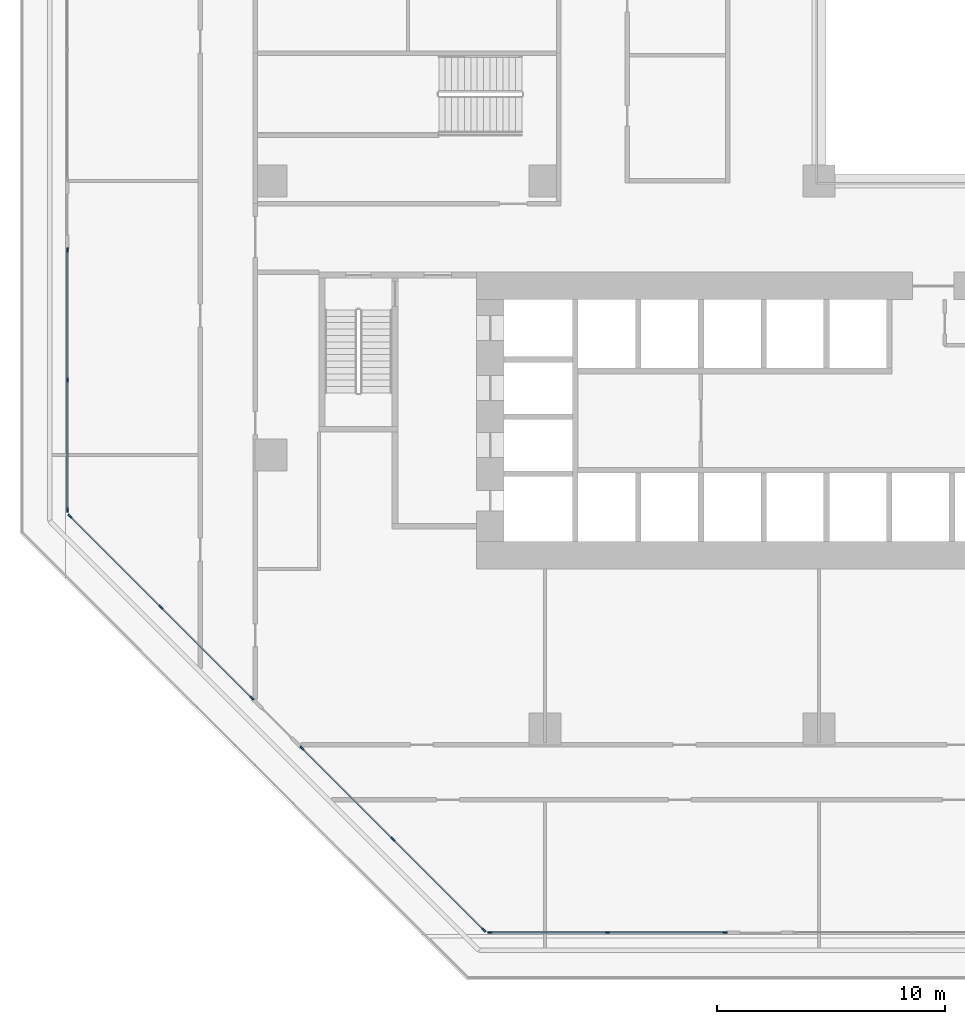
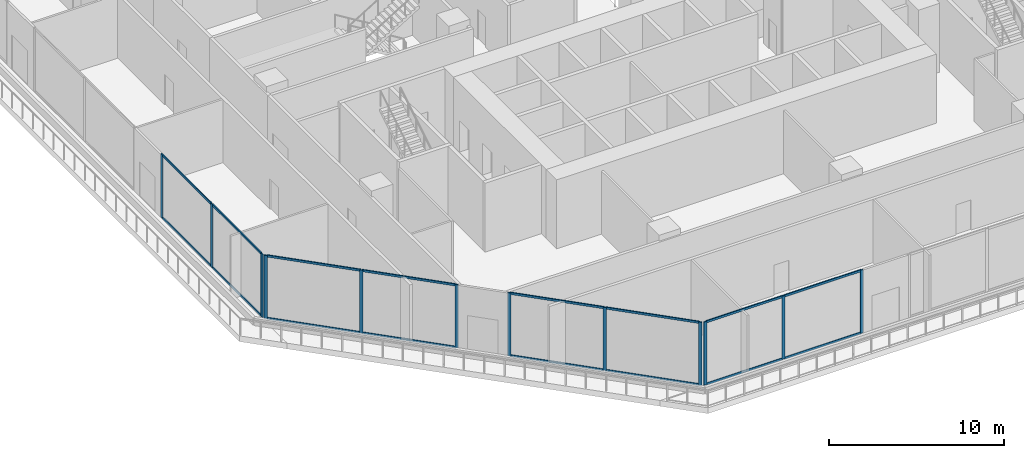
# One storey, part 2 of 26: 28 members, 4 elements without a shape of their own.
"""IFC4 building model written with IfcOpenShell, lengths in metres."""

from ifc_helpers import new_model, si_unit, direction, frame, origin, origin_2d, place, context, subcontext, project, spatial, rectangle, extrude, material, layer, layer_set, material_profile, profile_set, type_object, element, aggregate, save


model = new_model("IFC4")

# Units and contexts
model_context = context("Model", 3, precision=1e-05, world=origin(), true_north=direction((0.0, 1.0)))
body_context = subcontext(model_context, "Body", "Model", "MODEL_VIEW")
ifc_project = project(units=[si_unit("LENGTHUNIT", "METRE"), si_unit("AREAUNIT", "SQUARE_METRE"), si_unit("VOLUMEUNIT", "CUBIC_METRE"), si_unit("PLANEANGLEUNIT", "RADIAN"), si_unit("MASSUNIT", "GRAM", prefix="KILO")], contexts=[model_context])

# Site, building, storey
site_placement = place(None, origin())
site = spatial("IfcSite", under=ifc_project, at=site_placement, CompositionType="ELEMENT")
building_placement = place(site_placement, origin())
building = spatial("IfcBuilding", under=site, at=building_placement, Name="Chenar Terraces", CompositionType="ELEMENT")
storey_placement = place(building_placement, frame((0.0, 0.0, 16.800048828125)))
storey = spatial("IfcBuildingStorey", under=building, at=storey_placement, Name="L03", CompositionType="ELEMENT", Elevation=16.800048828125)

# Curtain wall, members
ifc_material_1 = material(Name="Aluminium framed glazing", Category="aluminium")
ifc_layer = layer(ifc_material_1, 0.14990234375)
ifc_layer_set = layer_set([ifc_layer], Name="Aluminium framed glazing")
curtain_wall_type = type_object("IfcCurtainWallType", Name="School curtain wall", PredefinedType="NOTDEFINED", material=ifc_layer_set)
placement = place(storey_placement, origin())
curtain_wall_1 = element("IfcCurtainWall", 1, at=placement, inside=storey, type_object=curtain_wall_type, Name="School curtain wall", PredefinedType="NOTDEFINED")
ifc_material_2 = material(Name="Aluminium", Category="aluminium")
ifc_material_profile_1 = material_profile(ifc_material_2, rectangle(XDim=0.070068359375, YDim=0.199951171875, at=origin_2d()), Name="School glazing mullion 70 x 200")
ifc_profile_set_1 = profile_set([ifc_material_profile_1], Name="Aluminium")
member_type_1 = type_object("IfcMemberType", Name="School glazing mullion 70 x 200", PredefinedType="MULLION", material=ifc_profile_set_1)
member_1_placement = place(storey_placement, frame((-8.925048828125, 20.97412109375, 0.0), z_axis=(0.0, 0.0, 1.0), x_axis=(1.0, 0.0, 0.0)))
member_1 = element("IfcMember", 2, at=member_1_placement, type_object=member_type_1, Name="CW2-05c3 mullion 1", PredefinedType="MULLION", context=body_context, shape_type="SweptSolid", body=[
    extrude(rectangle(XDim=0.070068359375, YDim=0.199951171875, at=origin_2d()), origin(), (0.0, 0.0, 1.0), 4.39990234375),
])
member_2_placement = place(storey_placement, frame((-8.925048828125, 15.2763671875, 0.0), z_axis=(0.0, 0.0, 1.0), x_axis=(1.0, 0.0, 0.0)))
member_2 = element("IfcMember", 3, at=member_2_placement, type_object=member_type_1, Name="CW2-05c3 mullion 2", PredefinedType="MULLION", context=body_context, shape_type="SweptSolid", body=[
    extrude(rectangle(XDim=0.070068359375, YDim=0.199951171875, at=origin_2d()), origin(), (0.0, 0.0, 1.0), 4.39990234375),
])
member_3_placement = place(storey_placement, frame((-8.925048828125, 9.578369140625, 0.0), z_axis=(0.0, 0.0, 1.0), x_axis=(1.0, 0.0, 0.0)))
member_3 = element("IfcMember", 4, at=member_3_placement, type_object=member_type_1, Name="CW2-05c3 mullion 3", PredefinedType="MULLION", context=body_context, shape_type="SweptSolid", body=[
    extrude(rectangle(XDim=0.070068359375, YDim=0.199951171875, at=origin_2d()), origin(), (0.0, 0.0, 1.0), 4.39990234375),
])

curtain_wall_2 = element("IfcCurtainWall", 5, at=placement, inside=storey, type_object=curtain_wall_type, Name="School curtain wall", PredefinedType="NOTDEFINED")
member_4_placement = place(storey_placement, frame((-8.816162109375, 9.315673828125, 0.0), z_axis=(0.0, 0.0, 1.0), x_axis=(0.707106781187, 0.707106781187, 0.0)))
member_4 = element("IfcMember", 6, at=member_4_placement, type_object=member_type_1, Name="CW2-06c0 mullion 1", PredefinedType="MULLION", context=body_context, shape_type="SweptSolid", body=[
    extrude(rectangle(XDim=0.070068359375, YDim=0.199951171875, at=origin_2d()), origin(), (0.0, 0.0, 1.0), 4.39990234375),
])
member_5_placement = place(storey_placement, frame((-4.830322265625, 5.329833984375, 0.0), z_axis=(0.0, 0.0, 1.0), x_axis=(0.707106781187, 0.707106781187, 0.0)))
member_5 = element("IfcMember", 7, at=member_5_placement, type_object=member_type_1, Name="CW2-06c0 mullion 2", PredefinedType="MULLION", context=body_context, shape_type="SweptSolid", body=[
    extrude(rectangle(XDim=0.070068359375, YDim=0.199951171875, at=origin_2d()), origin(), (0.0, 0.0, 1.0), 4.39990234375),
])
member_6_placement = place(storey_placement, frame((-0.844482421875, 1.343994140625, 0.0), z_axis=(0.0, 0.0, 1.0), x_axis=(0.707106781187, 0.707106781187, 0.0)))
member_6 = element("IfcMember", 8, at=member_6_placement, type_object=member_type_1, Name="CW2-06c0 mullion 3", PredefinedType="MULLION", context=body_context, shape_type="SweptSolid", body=[
    extrude(rectangle(XDim=0.070068359375, YDim=0.199951171875, at=origin_2d()), origin(), (0.0, 0.0, 1.0), 4.39990234375),
])

curtain_wall_3 = element("IfcCurtainWall", 9, at=placement, inside=storey, type_object=curtain_wall_type, Name="School curtain wall", PredefinedType="NOTDEFINED")
member_7_placement = place(storey_placement, frame((1.343994140625, -0.844482421875, 0.0), z_axis=(0.0, 0.0, 1.0), x_axis=(0.707106781187, 0.707106781187, 0.0)))
member_7 = element("IfcMember", 10, at=member_7_placement, type_object=member_type_1, Name="CW2-06c1 mullion 1", PredefinedType="MULLION", context=body_context, shape_type="SweptSolid", body=[
    extrude(rectangle(XDim=0.070068359375, YDim=0.199951171875, at=origin_2d()), origin(), (0.0, 0.0, 1.0), 4.39990234375),
])
member_8_placement = place(storey_placement, frame((5.329833984375, -4.830322265625, 0.0), z_axis=(0.0, 0.0, 1.0), x_axis=(0.707106781187, 0.707106781187, 0.0)))
member_8 = element("IfcMember", 11, at=member_8_placement, type_object=member_type_1, Name="CW2-06c1 mullion 2", PredefinedType="MULLION", context=body_context, shape_type="SweptSolid", body=[
    extrude(rectangle(XDim=0.070068359375, YDim=0.199951171875, at=origin_2d()), origin(), (0.0, 0.0, 1.0), 4.39990234375),
])
member_9_placement = place(storey_placement, frame((9.315673828125, -8.816162109375, 0.0), z_axis=(0.0, 0.0, 1.0), x_axis=(0.707106781187, 0.707106781187, 0.0)))
member_9 = element("IfcMember", 12, at=member_9_placement, type_object=member_type_1, Name="CW2-06c1 mullion 3", PredefinedType="MULLION", context=body_context, shape_type="SweptSolid", body=[
    extrude(rectangle(XDim=0.070068359375, YDim=0.199951171875, at=origin_2d()), origin(), (0.0, 0.0, 1.0), 4.39990234375),
])

curtain_wall_4 = element("IfcCurtainWall", 13, at=placement, inside=storey, type_object=curtain_wall_type, Name="School curtain wall", PredefinedType="NOTDEFINED")
member_10_placement = place(storey_placement, frame((9.578369140625, -8.925048828125, 0.0), z_axis=(0.0, 0.0, 1.0), x_axis=(0.0, 1.0, 0.0)))
member_10 = element("IfcMember", 14, at=member_10_placement, type_object=member_type_1, Name="CW2-07c0 mullion 1", PredefinedType="MULLION", context=body_context, shape_type="SweptSolid", body=[
    extrude(rectangle(XDim=0.070068359375, YDim=0.199951171875, at=origin_2d()), origin(), (0.0, 0.0, 1.0), 4.39990234375),
])
member_11_placement = place(storey_placement, frame((14.728515625, -8.925048828125, 0.0), z_axis=(0.0, 0.0, 1.0), x_axis=(0.0, 1.0, 0.0)))
member_11 = element("IfcMember", 15, at=member_11_placement, type_object=member_type_1, Name="CW2-07c0 mullion 2", PredefinedType="MULLION", context=body_context, shape_type="SweptSolid", body=[
    extrude(rectangle(XDim=0.070068359375, YDim=0.199951171875, at=origin_2d()), origin(), (0.0, 0.0, 1.0), 4.39990234375),
])
member_12_placement = place(storey_placement, frame((19.87841796875, -8.925048828125, 0.0), z_axis=(0.0, 0.0, 1.0), x_axis=(0.0, 1.0, 0.0)))
member_12 = element("IfcMember", 16, at=member_12_placement, type_object=member_type_1, Name="CW2-07c0 mullion 3", PredefinedType="MULLION", context=body_context, shape_type="SweptSolid", body=[
    extrude(rectangle(XDim=0.070068359375, YDim=0.199951171875, at=origin_2d()), origin(), (0.0, 0.0, 1.0), 4.39990234375),
])

# Member
ifc_material_3 = material(Name="Aluminium", Category="aluminium")
ifc_material_profile_2 = material_profile(ifc_material_3, rectangle(XDim=0.070068359375, YDim=0.14990234375, at=origin_2d()), Name="School glazing transom 70 x 150")
ifc_profile_set_2 = profile_set([ifc_material_profile_2], Name="Aluminium")
member_type_2 = type_object("IfcMemberType", Name="School glazing transom 70 x 150", PredefinedType="USERDEFINED", material=ifc_profile_set_2)
member_13_placement = place(storey_placement, frame((-8.925048828125, 20.939208984375, 0.034912109375), z_axis=(0.0, -1.0, 0.0), x_axis=(1.0, 0.0, 0.0)))
member_13 = element("IfcMember", 17, at=member_13_placement, type_object=member_type_2, Name="CW2-05c3 transom 1.1", ObjectType="TRANSOM", PredefinedType="USERDEFINED", context=body_context, shape_type="SweptSolid", body=[
    extrude(rectangle(XDim=0.070068359375, YDim=0.14990234375, at=origin_2d()), origin(), (0.0, 0.0, 1.0), 5.6279296875),
])

member_14_placement = place(storey_placement, frame((-8.925048828125, 20.939208984375, 4.364990234375), z_axis=(0.0, -1.0, 0.0), x_axis=(1.0, 0.0, 0.0)))
member_14 = element("IfcMember", 18, at=member_14_placement, type_object=member_type_2, Name="CW2-05c3 transom 1.2", ObjectType="TRANSOM", PredefinedType="USERDEFINED", context=body_context, shape_type="SweptSolid", body=[
    extrude(rectangle(XDim=0.070068359375, YDim=0.14990234375, at=origin_2d()), origin(), (0.0, 0.0, 1.0), 5.6279296875),
])

member_15_placement = place(storey_placement, frame((-8.925048828125, 15.2412109375, 0.034912109375), z_axis=(0.0, -1.0, 0.0), x_axis=(1.0, 0.0, 0.0)))
member_15 = element("IfcMember", 19, at=member_15_placement, type_object=member_type_2, Name="CW2-05c3 transom 2.1", ObjectType="TRANSOM", PredefinedType="USERDEFINED", context=body_context, shape_type="SweptSolid", body=[
    extrude(rectangle(XDim=0.070068359375, YDim=0.14990234375, at=origin_2d()), origin(), (0.0, 0.0, 1.0), 5.6279296875),
])

member_16_placement = place(storey_placement, frame((-8.925048828125, 15.2412109375, 4.364990234375), z_axis=(0.0, -1.0, 0.0), x_axis=(1.0, 0.0, 0.0)))
member_16 = element("IfcMember", 20, at=member_16_placement, type_object=member_type_2, Name="CW2-05c3 transom 2.2", ObjectType="TRANSOM", PredefinedType="USERDEFINED", context=body_context, shape_type="SweptSolid", body=[
    extrude(rectangle(XDim=0.070068359375, YDim=0.14990234375, at=origin_2d()), origin(), (0.0, 0.0, 1.0), 5.6279296875),
])

aggregate(curtain_wall_1, [member_1, member_2, member_3, member_13, member_14, member_15, member_16])

member_17_placement = place(storey_placement, frame((-8.79150390625, 9.290771484375, 0.034912109375), z_axis=(0.707128708678, -0.707084853015, 0.0), x_axis=(0.707084853015, 0.707128708678, 0.0)))
member_17 = element("IfcMember", 21, at=member_17_placement, type_object=member_type_2, Name="CW2-06c0 transom 1.1", ObjectType="TRANSOM", PredefinedType="USERDEFINED", context=body_context, shape_type="SweptSolid", body=[
    extrude(rectangle(XDim=0.070068359375, YDim=0.14990234375, at=origin_2d()), origin(), (0.0, 0.0, 1.0), 5.56689453125),
])

member_18_placement = place(storey_placement, frame((-8.79150390625, 9.290771484375, 4.364990234375), z_axis=(0.707128708678, -0.707084853015, 0.0), x_axis=(0.707084853015, 0.707128708678, 0.0)))
member_18 = element("IfcMember", 22, at=member_18_placement, type_object=member_type_2, Name="CW2-06c0 transom 1.2", ObjectType="TRANSOM", PredefinedType="USERDEFINED", context=body_context, shape_type="SweptSolid", body=[
    extrude(rectangle(XDim=0.070068359375, YDim=0.14990234375, at=origin_2d()), origin(), (0.0, 0.0, 1.0), 5.56689453125),
])

member_19_placement = place(storey_placement, frame((-4.8056640625, 5.304931640625, 0.034912109375), z_axis=(0.707106781187, -0.707106781187, 0.0), x_axis=(0.707106781187, 0.707106781187, 0.0)))
member_19 = element("IfcMember", 23, at=member_19_placement, type_object=member_type_2, Name="CW2-06c0 transom 2.1", ObjectType="TRANSOM", PredefinedType="USERDEFINED", context=body_context, shape_type="SweptSolid", body=[
    extrude(rectangle(XDim=0.070068359375, YDim=0.14990234375, at=origin_2d()), origin(), (0.0, 0.0, 1.0), 5.566650390625),
])

member_20_placement = place(storey_placement, frame((-4.8056640625, 5.304931640625, 4.364990234375), z_axis=(0.707106781187, -0.707106781187, 0.0), x_axis=(0.707106781187, 0.707106781187, 0.0)))
member_20 = element("IfcMember", 24, at=member_20_placement, type_object=member_type_2, Name="CW2-06c0 transom 2.2", ObjectType="TRANSOM", PredefinedType="USERDEFINED", context=body_context, shape_type="SweptSolid", body=[
    extrude(rectangle(XDim=0.070068359375, YDim=0.14990234375, at=origin_2d()), origin(), (0.0, 0.0, 1.0), 5.566650390625),
])

aggregate(curtain_wall_2, [member_4, member_5, member_6, member_17, member_18, member_19, member_20])

member_21_placement = place(storey_placement, frame((1.36865234375, -0.869384765625, 0.034912109375), z_axis=(0.707106781187, -0.707106781187, 0.0), x_axis=(0.707106781187, 0.707106781187, 0.0)))
member_21 = element("IfcMember", 25, at=member_21_placement, type_object=member_type_2, Name="CW2-06c1 transom 1.1", ObjectType="TRANSOM", PredefinedType="USERDEFINED", context=body_context, shape_type="SweptSolid", body=[
    extrude(rectangle(XDim=0.070068359375, YDim=0.14990234375, at=origin_2d()), origin(), (0.0, 0.0, 1.0), 5.566650390625),
])

member_22_placement = place(storey_placement, frame((1.36865234375, -0.869384765625, 4.364990234375), z_axis=(0.707106781187, -0.707106781187, 0.0), x_axis=(0.707106781187, 0.707106781187, 0.0)))
member_22 = element("IfcMember", 26, at=member_22_placement, type_object=member_type_2, Name="CW2-06c1 transom 1.2", ObjectType="TRANSOM", PredefinedType="USERDEFINED", context=body_context, shape_type="SweptSolid", body=[
    extrude(rectangle(XDim=0.070068359375, YDim=0.14990234375, at=origin_2d()), origin(), (0.0, 0.0, 1.0), 5.566650390625),
])

member_23_placement = place(storey_placement, frame((5.3544921875, -4.85498046875, 0.034912109375), z_axis=(0.707084853015, -0.707128708678, 0.0), x_axis=(0.707128708678, 0.707084853015, 0.0)))
member_23 = element("IfcMember", 27, at=member_23_placement, type_object=member_type_2, Name="CW2-06c1 transom 2.1", ObjectType="TRANSOM", PredefinedType="USERDEFINED", context=body_context, shape_type="SweptSolid", body=[
    extrude(rectangle(XDim=0.070068359375, YDim=0.14990234375, at=origin_2d()), origin(), (0.0, 0.0, 1.0), 5.56689453125),
])

member_24_placement = place(storey_placement, frame((5.3544921875, -4.85498046875, 4.364990234375), z_axis=(0.707084853015, -0.707128708678, 0.0), x_axis=(0.707128708678, 0.707084853015, 0.0)))
member_24 = element("IfcMember", 28, at=member_24_placement, type_object=member_type_2, Name="CW2-06c1 transom 2.2", ObjectType="TRANSOM", PredefinedType="USERDEFINED", context=body_context, shape_type="SweptSolid", body=[
    extrude(rectangle(XDim=0.070068359375, YDim=0.14990234375, at=origin_2d()), origin(), (0.0, 0.0, 1.0), 5.56689453125),
])

aggregate(curtain_wall_3, [member_7, member_8, member_9, member_21, member_22, member_23, member_24])

member_25_placement = place(storey_placement, frame((9.61328125, -8.925048828125, 0.034912109375), z_axis=(1.0, 0.0, 0.0), x_axis=(0.0, 1.0, 0.0)))
member_25 = element("IfcMember", 29, at=member_25_placement, type_object=member_type_2, Name="CW2-07c0 transom 1.1", ObjectType="TRANSOM", PredefinedType="USERDEFINED", context=body_context, shape_type="SweptSolid", body=[
    extrude(rectangle(XDim=0.070068359375, YDim=0.14990234375, at=origin_2d()), origin(), (0.0, 0.0, 1.0), 5.080078125),
])

member_26_placement = place(storey_placement, frame((9.61328125, -8.925048828125, 4.364990234375), z_axis=(1.0, 0.0, 0.0), x_axis=(0.0, 1.0, 0.0)))
member_26 = element("IfcMember", 30, at=member_26_placement, type_object=member_type_2, Name="CW2-07c0 transom 1.2", ObjectType="TRANSOM", PredefinedType="USERDEFINED", context=body_context, shape_type="SweptSolid", body=[
    extrude(rectangle(XDim=0.070068359375, YDim=0.14990234375, at=origin_2d()), origin(), (0.0, 0.0, 1.0), 5.080078125),
])

member_27_placement = place(storey_placement, frame((14.763427734375, -8.925048828125, 0.034912109375), z_axis=(1.0, 0.0, 0.0), x_axis=(0.0, 1.0, 0.0)))
member_27 = element("IfcMember", 31, at=member_27_placement, type_object=member_type_2, Name="CW2-07c0 transom 2.1", ObjectType="TRANSOM", PredefinedType="USERDEFINED", context=body_context, shape_type="SweptSolid", body=[
    extrude(rectangle(XDim=0.070068359375, YDim=0.14990234375, at=origin_2d()), origin(), (0.0, 0.0, 1.0), 5.080078125),
])

member_28_placement = place(storey_placement, frame((14.763427734375, -8.925048828125, 4.364990234375), z_axis=(1.0, 0.0, 0.0), x_axis=(0.0, 1.0, 0.0)))
member_28 = element("IfcMember", 32, at=member_28_placement, type_object=member_type_2, Name="CW2-07c0 transom 2.2", ObjectType="TRANSOM", PredefinedType="USERDEFINED", context=body_context, shape_type="SweptSolid", body=[
    extrude(rectangle(XDim=0.070068359375, YDim=0.14990234375, at=origin_2d()), origin(), (0.0, 0.0, 1.0), 5.080078125),
])

aggregate(curtain_wall_4, [member_10, member_11, member_12, member_25, member_26, member_27, member_28])

save(model, "model.ifc")
